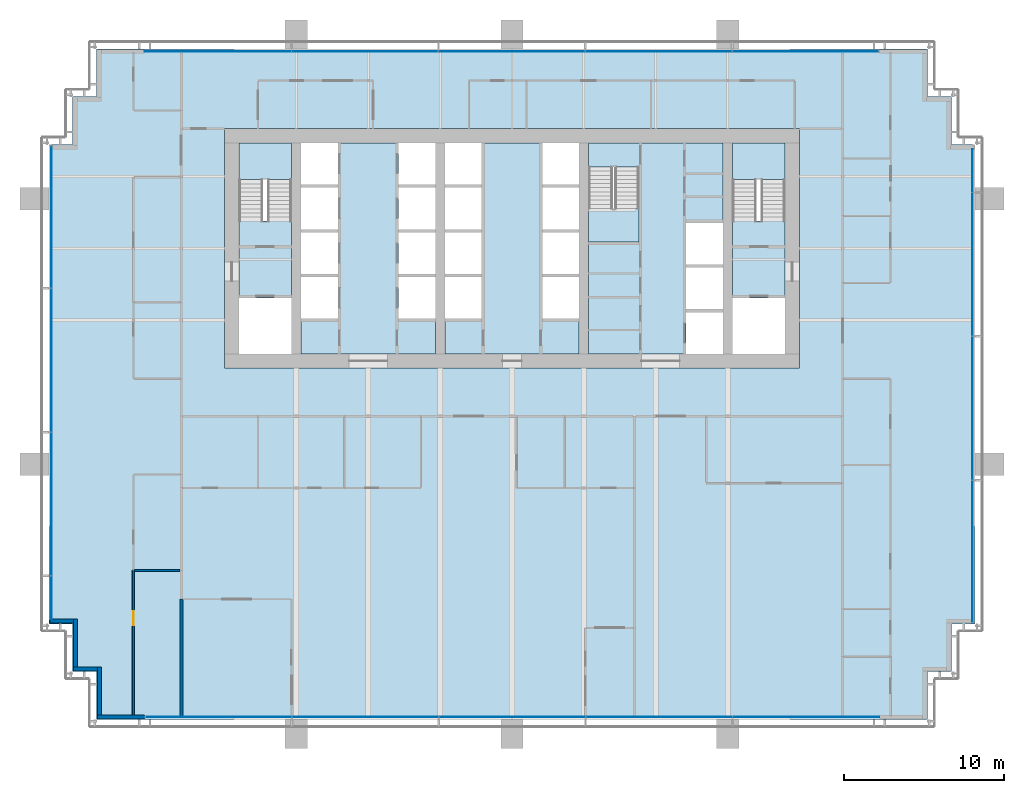
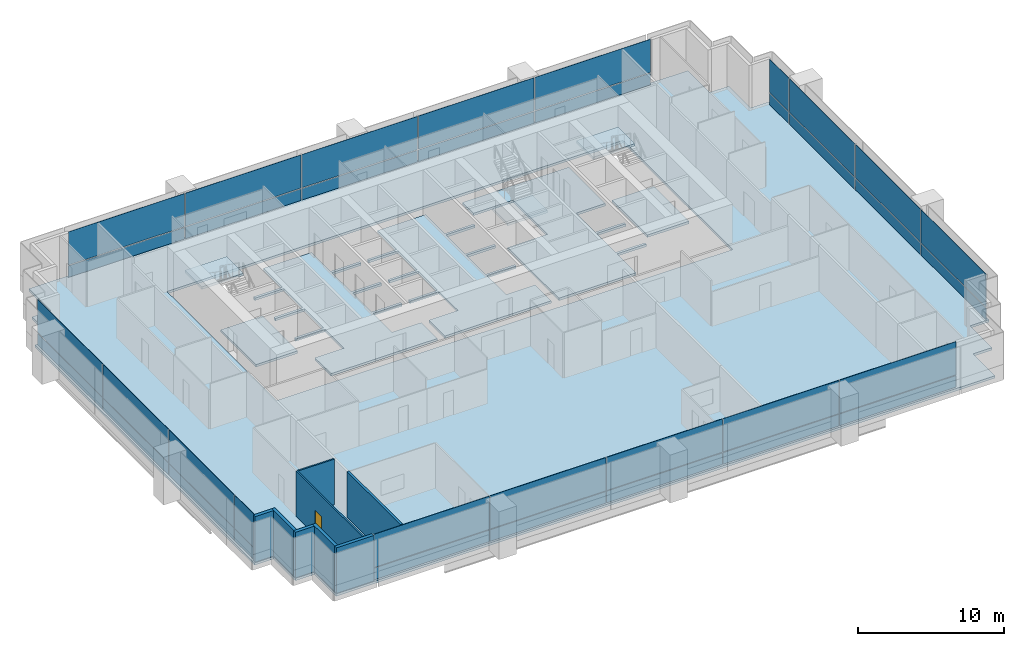
# One storey, part 9 of 18: 36 plates, 9 slabs, 8 walls, 1 door, 1 opening, 7 elements without a shape of their own.
"""IFC4 building model written with IfcOpenShell, lengths in metres."""

from ifc_helpers import new_model, si_unit, direction, frame, frame_2d, origin, origin_2d, place, context, subcontext, project, spatial, polyline, rectangle, outline, extrude, material, layer, layer_set, type_object, element, fill, aggregate, save


model = new_model("IFC4")

# Units and contexts
model_context = context("Model", 3, precision=1e-05, world=origin(), true_north=direction((0.0, 1.0)))
body_context = subcontext(model_context, "Body", "Model", "MODEL_VIEW")
ifc_project = project(units=[si_unit("LENGTHUNIT", "METRE"), si_unit("AREAUNIT", "SQUARE_METRE"), si_unit("VOLUMEUNIT", "CUBIC_METRE"), si_unit("PLANEANGLEUNIT", "RADIAN"), si_unit("MASSUNIT", "GRAM", prefix="KILO")], contexts=[model_context])

# Site, building, storey
site_placement = place(None, origin())
site = spatial("IfcSite", under=ifc_project, at=site_placement, CompositionType="ELEMENT")
building_placement = place(site_placement, origin())
building = spatial("IfcBuilding", under=site, at=building_placement, Name="Rattan Terrace Tower", CompositionType="ELEMENT")
storey_placement = place(building_placement, frame((0.0, 0.0, 134.10009765625)))
storey = spatial("IfcBuildingStorey", under=building, at=storey_placement, Name="L30", CompositionType="ELEMENT", Elevation=134.10009765625)

# Stair, slab
ifc_material_1 = material(Name="Concrete C40/50", Category="concrete")
stair_type = type_object("IfcStairType", Name="Core exit stair 1500", PredefinedType="HALF_TURN_STAIR", material=ifc_material_1)
stair_1_placement = place(storey_placement, origin())
stair_1 = element("IfcStair", 1, at=stair_1_placement, inside=storey, type_object=stair_type, Name="L30 exit stair 1", PredefinedType="HALF_TURN_STAIR")
ifc_material_2 = material(Name="Concrete C40/50", Category="concrete")
ifc_layer_1 = layer(ifc_material_2, 0.199951171875)
ifc_layer_set_1 = layer_set([ifc_layer_1], Name="Core exit stair landing")
slab_type_1 = type_object("IfcSlabType", Name="Core exit stair landing", PredefinedType="LANDING", material=ifc_layer_set_1)
slab_1_placement = place(storey_placement, frame((0.0, 0.0, 1.7998046875)))
slab_1 = element("IfcSlab", 2, at=slab_1_placement, type_object=slab_type_1, Name="S1 landing 1", PredefinedType="LANDING", context=body_context, shape_type="SweptSolid", body=[
    extrude(outline(polyline([(-13.800048828125, 4.300048828125), (-13.800048828125, 6.60009765625), (-17.10009765625, 6.60009765625), (-17.10009765625, 4.300048828125), (-13.800048828125, 4.300048828125)])), origin(), (0.0, 0.0, 1.0), 0.2001953125),
])
aggregate(stair_1, [slab_1])

stair_2_placement = place(storey_placement, origin())
stair_2 = element("IfcStair", 3, at=stair_2_placement, inside=storey, type_object=stair_type, Name="L30 exit stair 2", PredefinedType="HALF_TURN_STAIR")
slab_2_placement = place(storey_placement, frame((0.0, 0.0, 1.7998046875)))
slab_2 = element("IfcSlab", 4, at=slab_2_placement, type_object=slab_type_1, Name="S2 landing 1", PredefinedType="LANDING", context=body_context, shape_type="SweptSolid", body=[
    extrude(outline(polyline([(17.10009765625, 4.300048828125), (17.10009765625, 6.60009765625), (13.800048828125, 6.60009765625), (13.800048828125, 4.300048828125), (17.10009765625, 4.300048828125)])), origin(), (0.0, 0.0, 1.0), 0.2001953125),
])
aggregate(stair_2, [slab_2])

stair_3_placement = place(storey_placement, origin())
stair_3 = element("IfcStair", 5, at=stair_3_placement, inside=storey, type_object=stair_type, Name="L30 exit stair 3", PredefinedType="HALF_TURN_STAIR")
slab_3_placement = place(storey_placement, frame((0.0, 0.0, 1.7998046875)))
slab_3 = element("IfcSlab", 6, at=slab_3_placement, type_object=slab_type_1, Name="S3 landing 1", PredefinedType="LANDING", context=body_context, shape_type="SweptSolid", body=[
    extrude(outline(polyline([(4.800048828125, 2.5), (4.800048828125, 0.39990234375), (7.949951171875, 0.39990234375), (7.949951171875, 2.5), (4.800048828125, 2.5)])), origin(), (0.0, 0.0, 1.0), 0.2001953125),
])
aggregate(stair_3, [slab_3])

# Curtain wall, plates
ifc_material_3 = material(Name="Aluminium and glass", Category="aluminium")
curtain_wall_type = type_object("IfcCurtainWallType", Name="Facade Unitised Curtain Wall", PredefinedType="NOTDEFINED", material=ifc_material_3)
curtain_wall_1_placement = place(storey_placement, origin())
curtain_wall_1 = element("IfcCurtainWall", 7, at=curtain_wall_1_placement, inside=storey, type_object=curtain_wall_type, Name="Curtain wall L30-1", PredefinedType="NOTDEFINED")
ifc_material_4 = material(Name="Aluminium insulated spandrel panel", Category="aluminium")
ifc_layer_2 = layer(ifc_material_4, 0.028076171875)
ifc_layer_set_2 = layer_set([ifc_layer_2], Name="Facade CW Spandrel Panel")
plate_type_1 = type_object("IfcPlateType", Name="Facade CW Spandrel Panel", PredefinedType="CURTAIN_PANEL", material=ifc_layer_set_2)
plate_1_placement = place(storey_placement, frame((28.830078125, -18.96240234375, 0.0), z_axis=(0.0, 0.0, 1.0), x_axis=(0.0, 1.0, 0.0)))
plate_1 = element("IfcPlate", 8, at=plate_1_placement, type_object=plate_type_1, Name="Panel cwl-L30-001.1.1", PredefinedType="CURTAIN_PANEL", context=body_context, shape_type="SweptSolid", body=[
    extrude(rectangle(XDim=8.864990234375, YDim=0.028076171875, at=origin_2d()), origin(), (0.0, 0.0, 1.0), 0.969970703125),
])
plate_2_placement = place(storey_placement, frame((28.830078125, -10.0, 0.0), z_axis=(0.0, 0.0, 1.0), x_axis=(0.0, 1.0, 0.0)))
plate_2 = element("IfcPlate", 9, at=plate_2_placement, type_object=plate_type_1, Name="Panel cwl-L30-001.2.1", PredefinedType="CURTAIN_PANEL", context=body_context, shape_type="SweptSolid", body=[
    extrude(rectangle(XDim=8.93994140625, YDim=0.028076171875, at=origin_2d()), origin(), (0.0, 0.0, 1.0), 0.969970703125),
])
plate_3_placement = place(storey_placement, frame((28.830078125, -1.0, 0.0), z_axis=(0.0, 0.0, 1.0), x_axis=(0.0, 1.0, 0.0)))
plate_3 = element("IfcPlate", 10, at=plate_3_placement, type_object=plate_type_1, Name="Panel cwl-L30-001.3.1", PredefinedType="CURTAIN_PANEL", context=body_context, shape_type="SweptSolid", body=[
    extrude(rectangle(XDim=8.93994140625, YDim=0.028076171875, at=origin_2d()), origin(), (0.0, 0.0, 1.0), 0.969970703125),
])
plate_4_placement = place(storey_placement, frame((28.830078125, 4.867431640625, 0.0), z_axis=(0.0, 0.0, 1.0), x_axis=(0.0, 1.0, 0.0)))
plate_4 = element("IfcPlate", 11, at=plate_4_placement, type_object=plate_type_1, Name="Panel cwl-L30-001.4.1", PredefinedType="CURTAIN_PANEL", context=body_context, shape_type="SweptSolid", body=[
    extrude(rectangle(XDim=2.675048828125, YDim=0.028076171875, at=origin_2d()), origin(), (0.0, 0.0, 1.0), 0.969970703125),
])

curtain_wall_2_placement = place(storey_placement, origin())
curtain_wall_2 = element("IfcCurtainWall", 12, at=curtain_wall_2_placement, inside=storey, type_object=curtain_wall_type, Name="Curtain wall L30-2", PredefinedType="NOTDEFINED")
plate_5_placement = place(storey_placement, frame((18.384521484375, 12.330078125, 0.0), z_axis=(0.0, 0.0, 1.0), x_axis=(-1.0, 0.0, 0.0)))
plate_5 = element("IfcPlate", 13, at=plate_5_placement, type_object=plate_type_1, Name="Panel cwl-L30-002.1.1", PredefinedType="CURTAIN_PANEL", context=body_context, shape_type="SweptSolid", body=[
    extrude(rectangle(XDim=9.111083984375, YDim=0.028076171875, at=origin_2d()), origin(), (0.0, 0.0, 1.0), 0.969970703125),
])
plate_6_placement = place(storey_placement, frame((9.198486328125, 12.330078125, 0.0), z_axis=(0.0, 0.0, 1.0), x_axis=(-1.0, 0.0, 0.0)))
plate_6 = element("IfcPlate", 14, at=plate_6_placement, type_object=plate_type_1, Name="Panel cwl-L30-002.2.1", PredefinedType="CURTAIN_PANEL", context=body_context, shape_type="SweptSolid", body=[
    extrude(rectangle(XDim=9.14111328125, YDim=0.028076171875, at=origin_2d()), origin(), (0.0, 0.0, 1.0), 0.969970703125),
])
plate_7_placement = place(storey_placement, frame((-0.00244140625, 12.330078125, 0.0), z_axis=(0.0, 0.0, 1.0), x_axis=(-1.0, 0.0, 0.0)))
plate_7 = element("IfcPlate", 15, at=plate_7_placement, type_object=plate_type_1, Name="Panel cwl-L30-002.3.1", PredefinedType="CURTAIN_PANEL", context=body_context, shape_type="SweptSolid", body=[
    extrude(rectangle(XDim=9.14111328125, YDim=0.028076171875, at=origin_2d()), origin(), (0.0, 0.0, 1.0), 0.969970703125),
])
plate_8_placement = place(storey_placement, frame((-9.20361328125, 12.330078125, 0.0), z_axis=(0.0, 0.0, 1.0), x_axis=(-1.0, 0.0, 0.0)))
plate_8 = element("IfcPlate", 16, at=plate_8_placement, type_object=plate_type_1, Name="Panel cwl-L30-002.4.1", PredefinedType="CURTAIN_PANEL", context=body_context, shape_type="SweptSolid", body=[
    extrude(rectangle(XDim=9.14111328125, YDim=0.028076171875, at=origin_2d()), origin(), (0.0, 0.0, 1.0), 0.969970703125),
])
plate_9_placement = place(storey_placement, frame((-18.4169921875, 12.330078125, 0.0), z_axis=(0.0, 0.0, 1.0), x_axis=(-1.0, 0.0, 0.0)))
plate_9 = element("IfcPlate", 17, at=plate_9_placement, type_object=plate_type_1, Name="Panel cwl-L30-002.5.1", PredefinedType="CURTAIN_PANEL", context=body_context, shape_type="SweptSolid", body=[
    extrude(rectangle(XDim=9.166015625, YDim=0.028076171875, at=origin_2d()), origin(), (0.0, 0.0, 1.0), 0.969970703125),
])

curtain_wall_3_placement = place(storey_placement, origin())
curtain_wall_3 = element("IfcCurtainWall", 18, at=curtain_wall_3_placement, inside=storey, type_object=curtain_wall_type, Name="Curtain wall L30-3", PredefinedType="NOTDEFINED")
plate_10_placement = place(storey_placement, frame((-28.830078125, 1.96240234375, 0.0), z_axis=(0.0, 0.0, 1.0), x_axis=(0.0, -1.0, 0.0)))
plate_10 = element("IfcPlate", 19, at=plate_10_placement, type_object=plate_type_1, Name="Panel cwl-L30-003.1.1", PredefinedType="CURTAIN_PANEL", context=body_context, shape_type="SweptSolid", body=[
    extrude(rectangle(XDim=8.864990234375, YDim=0.028076171875, at=origin_2d()), origin(), (0.0, 0.0, 1.0), 0.969970703125),
])
plate_11_placement = place(storey_placement, frame((-28.830078125, -7.0, 0.0), z_axis=(0.0, 0.0, 1.0), x_axis=(0.0, -1.0, 0.0)))
plate_11 = element("IfcPlate", 20, at=plate_11_placement, type_object=plate_type_1, Name="Panel cwl-L30-003.2.1", PredefinedType="CURTAIN_PANEL", context=body_context, shape_type="SweptSolid", body=[
    extrude(rectangle(XDim=8.93994140625, YDim=0.028076171875, at=origin_2d()), origin(), (0.0, 0.0, 1.0), 0.969970703125),
])
plate_12_placement = place(storey_placement, frame((-28.830078125, -16.0, 0.0), z_axis=(0.0, 0.0, 1.0), x_axis=(0.0, -1.0, 0.0)))
plate_12 = element("IfcPlate", 21, at=plate_12_placement, type_object=plate_type_1, Name="Panel cwl-L30-003.3.1", PredefinedType="CURTAIN_PANEL", context=body_context, shape_type="SweptSolid", body=[
    extrude(rectangle(XDim=8.93994140625, YDim=0.028076171875, at=origin_2d()), origin(), (0.0, 0.0, 1.0), 0.969970703125),
])
plate_13_placement = place(storey_placement, frame((-28.830078125, -21.867431640625, 0.0), z_axis=(0.0, 0.0, 1.0), x_axis=(0.0, -1.0, 0.0)))
plate_13 = element("IfcPlate", 22, at=plate_13_placement, type_object=plate_type_1, Name="Panel cwl-L30-003.4.1", PredefinedType="CURTAIN_PANEL", context=body_context, shape_type="SweptSolid", body=[
    extrude(rectangle(XDim=2.675048828125, YDim=0.028076171875, at=origin_2d()), origin(), (0.0, 0.0, 1.0), 0.969970703125),
])

curtain_wall_4_placement = place(storey_placement, origin())
curtain_wall_4 = element("IfcCurtainWall", 23, at=curtain_wall_4_placement, inside=storey, type_object=curtain_wall_type, Name="Curtain wall L30-4", PredefinedType="NOTDEFINED")
plate_14_placement = place(storey_placement, frame((-18.384521484375, -29.330078125, 0.0), z_axis=(0.0, 0.0, 1.0), x_axis=(1.0, 0.0, 0.0)))
plate_14 = element("IfcPlate", 24, at=plate_14_placement, type_object=plate_type_1, Name="Panel cwl-L30-004.1.1", PredefinedType="CURTAIN_PANEL", context=body_context, shape_type="SweptSolid", body=[
    extrude(rectangle(XDim=9.111083984375, YDim=0.028076171875, at=origin_2d()), origin(), (0.0, 0.0, 1.0), 0.969970703125),
])
plate_15_placement = place(storey_placement, frame((-9.198486328125, -29.330078125, 0.0), z_axis=(0.0, 0.0, 1.0), x_axis=(1.0, 0.0, 0.0)))
plate_15 = element("IfcPlate", 25, at=plate_15_placement, type_object=plate_type_1, Name="Panel cwl-L30-004.2.1", PredefinedType="CURTAIN_PANEL", context=body_context, shape_type="SweptSolid", body=[
    extrude(rectangle(XDim=9.14111328125, YDim=0.028076171875, at=origin_2d()), origin(), (0.0, 0.0, 1.0), 0.969970703125),
])
plate_16_placement = place(storey_placement, frame((0.00244140625, -29.330078125, 0.0), z_axis=(0.0, 0.0, 1.0), x_axis=(1.0, 0.0, 0.0)))
plate_16 = element("IfcPlate", 26, at=plate_16_placement, type_object=plate_type_1, Name="Panel cwl-L30-004.3.1", PredefinedType="CURTAIN_PANEL", context=body_context, shape_type="SweptSolid", body=[
    extrude(rectangle(XDim=9.14111328125, YDim=0.028076171875, at=origin_2d()), origin(), (0.0, 0.0, 1.0), 0.969970703125),
])
plate_17_placement = place(storey_placement, frame((9.20361328125, -29.330078125, 0.0), z_axis=(0.0, 0.0, 1.0), x_axis=(1.0, 0.0, 0.0)))
plate_17 = element("IfcPlate", 27, at=plate_17_placement, type_object=plate_type_1, Name="Panel cwl-L30-004.4.1", PredefinedType="CURTAIN_PANEL", context=body_context, shape_type="SweptSolid", body=[
    extrude(rectangle(XDim=9.14111328125, YDim=0.028076171875, at=origin_2d()), origin(), (0.0, 0.0, 1.0), 0.969970703125),
])
plate_18_placement = place(storey_placement, frame((18.4169921875, -29.330078125, 0.0), z_axis=(0.0, 0.0, 1.0), x_axis=(1.0, 0.0, 0.0)))
plate_18 = element("IfcPlate", 28, at=plate_18_placement, type_object=plate_type_1, Name="Panel cwl-L30-004.5.1", PredefinedType="CURTAIN_PANEL", context=body_context, shape_type="SweptSolid", body=[
    extrude(rectangle(XDim=9.166015625, YDim=0.028076171875, at=origin_2d()), origin(), (0.0, 0.0, 1.0), 0.969970703125),
])

# Plate
ifc_material_5 = material(Name="Clear low-iron glass", Category="glass")
ifc_layer_3 = layer(ifc_material_5, 0.028076171875)
ifc_layer_set_3 = layer_set([ifc_layer_3], Name="Facade CW Vision Panel")
plate_type_2 = type_object("IfcPlateType", Name="Facade CW Vision Panel", PredefinedType="CURTAIN_PANEL", material=ifc_layer_set_3)
plate_19_placement = place(storey_placement, frame((28.830078125, -18.96240234375, 1.02978515625), z_axis=(0.0, 0.0, 1.0), x_axis=(0.0, 1.0, 0.0)))
plate_19 = element("IfcPlate", 29, at=plate_19_placement, type_object=plate_type_2, Name="Panel cwl-L30-001.1.2", PredefinedType="CURTAIN_PANEL", context=body_context, shape_type="SweptSolid", body=[
    extrude(rectangle(XDim=8.864990234375, YDim=0.028076171875, at=origin_2d()), origin(), (0.0, 0.0, 1.0), 2.77001953125),
])

plate_20_placement = place(storey_placement, frame((28.830078125, -10.0, 1.02978515625), z_axis=(0.0, 0.0, 1.0), x_axis=(0.0, 1.0, 0.0)))
plate_20 = element("IfcPlate", 30, at=plate_20_placement, type_object=plate_type_2, Name="Panel cwl-L30-001.2.2", PredefinedType="CURTAIN_PANEL", context=body_context, shape_type="SweptSolid", body=[
    extrude(rectangle(XDim=8.93994140625, YDim=0.028076171875, at=origin_2d()), origin(), (0.0, 0.0, 1.0), 2.77001953125),
])

plate_21_placement = place(storey_placement, frame((28.830078125, -1.0, 1.02978515625), z_axis=(0.0, 0.0, 1.0), x_axis=(0.0, 1.0, 0.0)))
plate_21 = element("IfcPlate", 31, at=plate_21_placement, type_object=plate_type_2, Name="Panel cwl-L30-001.3.2", PredefinedType="CURTAIN_PANEL", context=body_context, shape_type="SweptSolid", body=[
    extrude(rectangle(XDim=8.93994140625, YDim=0.028076171875, at=origin_2d()), origin(), (0.0, 0.0, 1.0), 2.77001953125),
])

plate_22_placement = place(storey_placement, frame((28.830078125, 4.867431640625, 1.02978515625), z_axis=(0.0, 0.0, 1.0), x_axis=(0.0, 1.0, 0.0)))
plate_22 = element("IfcPlate", 32, at=plate_22_placement, type_object=plate_type_2, Name="Panel cwl-L30-001.4.2", PredefinedType="CURTAIN_PANEL", context=body_context, shape_type="SweptSolid", body=[
    extrude(rectangle(XDim=2.675048828125, YDim=0.028076171875, at=origin_2d()), origin(), (0.0, 0.0, 1.0), 2.77001953125),
])

aggregate(curtain_wall_1, [plate_1, plate_19, plate_2, plate_20, plate_3, plate_21, plate_4, plate_22])

plate_23_placement = place(storey_placement, frame((18.384521484375, 12.330078125, 1.02978515625), z_axis=(0.0, 0.0, 1.0), x_axis=(-1.0, 0.0, 0.0)))
plate_23 = element("IfcPlate", 33, at=plate_23_placement, type_object=plate_type_2, Name="Panel cwl-L30-002.1.2", PredefinedType="CURTAIN_PANEL", context=body_context, shape_type="SweptSolid", body=[
    extrude(rectangle(XDim=9.111083984375, YDim=0.028076171875, at=origin_2d()), origin(), (0.0, 0.0, 1.0), 2.77001953125),
])

plate_24_placement = place(storey_placement, frame((9.198486328125, 12.330078125, 1.02978515625), z_axis=(0.0, 0.0, 1.0), x_axis=(-1.0, 0.0, 0.0)))
plate_24 = element("IfcPlate", 34, at=plate_24_placement, type_object=plate_type_2, Name="Panel cwl-L30-002.2.2", PredefinedType="CURTAIN_PANEL", context=body_context, shape_type="SweptSolid", body=[
    extrude(rectangle(XDim=9.14111328125, YDim=0.028076171875, at=origin_2d()), origin(), (0.0, 0.0, 1.0), 2.77001953125),
])

plate_25_placement = place(storey_placement, frame((-0.00244140625, 12.330078125, 1.02978515625), z_axis=(0.0, 0.0, 1.0), x_axis=(-1.0, 0.0, 0.0)))
plate_25 = element("IfcPlate", 35, at=plate_25_placement, type_object=plate_type_2, Name="Panel cwl-L30-002.3.2", PredefinedType="CURTAIN_PANEL", context=body_context, shape_type="SweptSolid", body=[
    extrude(rectangle(XDim=9.14111328125, YDim=0.028076171875, at=origin_2d()), origin(), (0.0, 0.0, 1.0), 2.77001953125),
])

plate_26_placement = place(storey_placement, frame((-9.20361328125, 12.330078125, 1.02978515625), z_axis=(0.0, 0.0, 1.0), x_axis=(-1.0, 0.0, 0.0)))
plate_26 = element("IfcPlate", 36, at=plate_26_placement, type_object=plate_type_2, Name="Panel cwl-L30-002.4.2", PredefinedType="CURTAIN_PANEL", context=body_context, shape_type="SweptSolid", body=[
    extrude(rectangle(XDim=9.14111328125, YDim=0.028076171875, at=origin_2d()), origin(), (0.0, 0.0, 1.0), 2.77001953125),
])

plate_27_placement = place(storey_placement, frame((-18.4169921875, 12.330078125, 1.02978515625), z_axis=(0.0, 0.0, 1.0), x_axis=(-1.0, 0.0, 0.0)))
plate_27 = element("IfcPlate", 37, at=plate_27_placement, type_object=plate_type_2, Name="Panel cwl-L30-002.5.2", PredefinedType="CURTAIN_PANEL", context=body_context, shape_type="SweptSolid", body=[
    extrude(rectangle(XDim=9.166015625, YDim=0.028076171875, at=origin_2d()), origin(), (0.0, 0.0, 1.0), 2.77001953125),
])

aggregate(curtain_wall_2, [plate_5, plate_23, plate_6, plate_24, plate_7, plate_25, plate_8, plate_26, plate_9, plate_27])

plate_28_placement = place(storey_placement, frame((-28.830078125, 1.96240234375, 1.02978515625), z_axis=(0.0, 0.0, 1.0), x_axis=(0.0, -1.0, 0.0)))
plate_28 = element("IfcPlate", 38, at=plate_28_placement, type_object=plate_type_2, Name="Panel cwl-L30-003.1.2", PredefinedType="CURTAIN_PANEL", context=body_context, shape_type="SweptSolid", body=[
    extrude(rectangle(XDim=8.864990234375, YDim=0.028076171875, at=origin_2d()), origin(), (0.0, 0.0, 1.0), 2.77001953125),
])

plate_29_placement = place(storey_placement, frame((-28.830078125, -7.0, 1.02978515625), z_axis=(0.0, 0.0, 1.0), x_axis=(0.0, -1.0, 0.0)))
plate_29 = element("IfcPlate", 39, at=plate_29_placement, type_object=plate_type_2, Name="Panel cwl-L30-003.2.2", PredefinedType="CURTAIN_PANEL", context=body_context, shape_type="SweptSolid", body=[
    extrude(rectangle(XDim=8.93994140625, YDim=0.028076171875, at=origin_2d()), origin(), (0.0, 0.0, 1.0), 2.77001953125),
])

plate_30_placement = place(storey_placement, frame((-28.830078125, -16.0, 1.02978515625), z_axis=(0.0, 0.0, 1.0), x_axis=(0.0, -1.0, 0.0)))
plate_30 = element("IfcPlate", 40, at=plate_30_placement, type_object=plate_type_2, Name="Panel cwl-L30-003.3.2", PredefinedType="CURTAIN_PANEL", context=body_context, shape_type="SweptSolid", body=[
    extrude(rectangle(XDim=8.93994140625, YDim=0.028076171875, at=origin_2d()), origin(), (0.0, 0.0, 1.0), 2.77001953125),
])

plate_31_placement = place(storey_placement, frame((-28.830078125, -21.867431640625, 1.02978515625), z_axis=(0.0, 0.0, 1.0), x_axis=(0.0, -1.0, 0.0)))
plate_31 = element("IfcPlate", 41, at=plate_31_placement, type_object=plate_type_2, Name="Panel cwl-L30-003.4.2", PredefinedType="CURTAIN_PANEL", context=body_context, shape_type="SweptSolid", body=[
    extrude(rectangle(XDim=2.675048828125, YDim=0.028076171875, at=origin_2d()), origin(), (0.0, 0.0, 1.0), 2.77001953125),
])

aggregate(curtain_wall_3, [plate_10, plate_28, plate_11, plate_29, plate_12, plate_30, plate_13, plate_31])

plate_32_placement = place(storey_placement, frame((-18.384521484375, -29.330078125, 1.02978515625), z_axis=(0.0, 0.0, 1.0), x_axis=(1.0, 0.0, 0.0)))
plate_32 = element("IfcPlate", 42, at=plate_32_placement, type_object=plate_type_2, Name="Panel cwl-L30-004.1.2", PredefinedType="CURTAIN_PANEL", context=body_context, shape_type="SweptSolid", body=[
    extrude(rectangle(XDim=9.111083984375, YDim=0.028076171875, at=origin_2d()), origin(), (0.0, 0.0, 1.0), 2.77001953125),
])

plate_33_placement = place(storey_placement, frame((-9.198486328125, -29.330078125, 1.02978515625), z_axis=(0.0, 0.0, 1.0), x_axis=(1.0, 0.0, 0.0)))
plate_33 = element("IfcPlate", 43, at=plate_33_placement, type_object=plate_type_2, Name="Panel cwl-L30-004.2.2", PredefinedType="CURTAIN_PANEL", context=body_context, shape_type="SweptSolid", body=[
    extrude(rectangle(XDim=9.14111328125, YDim=0.028076171875, at=origin_2d()), origin(), (0.0, 0.0, 1.0), 2.77001953125),
])

plate_34_placement = place(storey_placement, frame((0.00244140625, -29.330078125, 1.02978515625), z_axis=(0.0, 0.0, 1.0), x_axis=(1.0, 0.0, 0.0)))
plate_34 = element("IfcPlate", 44, at=plate_34_placement, type_object=plate_type_2, Name="Panel cwl-L30-004.3.2", PredefinedType="CURTAIN_PANEL", context=body_context, shape_type="SweptSolid", body=[
    extrude(rectangle(XDim=9.14111328125, YDim=0.028076171875, at=origin_2d()), origin(), (0.0, 0.0, 1.0), 2.77001953125),
])

plate_35_placement = place(storey_placement, frame((9.20361328125, -29.330078125, 1.02978515625), z_axis=(0.0, 0.0, 1.0), x_axis=(1.0, 0.0, 0.0)))
plate_35 = element("IfcPlate", 45, at=plate_35_placement, type_object=plate_type_2, Name="Panel cwl-L30-004.4.2", PredefinedType="CURTAIN_PANEL", context=body_context, shape_type="SweptSolid", body=[
    extrude(rectangle(XDim=9.14111328125, YDim=0.028076171875, at=origin_2d()), origin(), (0.0, 0.0, 1.0), 2.77001953125),
])

plate_36_placement = place(storey_placement, frame((18.4169921875, -29.330078125, 1.02978515625), z_axis=(0.0, 0.0, 1.0), x_axis=(1.0, 0.0, 0.0)))
plate_36 = element("IfcPlate", 46, at=plate_36_placement, type_object=plate_type_2, Name="Panel cwl-L30-004.5.2", PredefinedType="CURTAIN_PANEL", context=body_context, shape_type="SweptSolid", body=[
    extrude(rectangle(XDim=9.166015625, YDim=0.028076171875, at=origin_2d()), origin(), (0.0, 0.0, 1.0), 2.77001953125),
])

aggregate(curtain_wall_4, [plate_14, plate_32, plate_15, plate_33, plate_16, plate_34, plate_17, plate_35, plate_18, plate_36])

# Slabs
ifc_material_6 = material(Name="Concrete C35/45", Category="concrete")
ifc_layer_4 = layer(ifc_material_6, 0.199951171875)
ifc_layer_set_4 = layer_set([ifc_layer_4], Name="Frame composite floor slab 200")
slab_type_2 = type_object("IfcSlabType", Name="Frame composite floor slab 200", PredefinedType="FLOOR", material=ifc_layer_set_4)
slab_4_placement = place(storey_placement, frame((0.0, 0.0, -0.2001953125)))
element("IfcSlab", 47, at=slab_4_placement, inside=storey, type_object=slab_type_2, Name="Floor slab", PredefinedType="FLOOR", context=body_context, shape_type="SweptSolid", body=[
    extrude(outline(polyline([(-23.0, -29.5), (23.0, -29.5), (26.0, -29.5), (26.0, -26.5), (27.5, -26.5), (27.5, -23.5), (29.0, -23.5), (29.0, 6.5), (27.5, 6.5), (27.5, 9.5), (26.0, 9.5), (26.0, 12.5), (23.0, 12.5), (-23.0, 12.5), (-26.0, 12.5), (-26.0, 9.5), (-27.5, 9.5), (-27.5, 6.5), (-29.0, 6.5), (-29.0, -23.5), (-27.5, -23.5), (-27.5, -26.5), (-26.0, -26.5), (-26.0, -29.5), (-23.0, -29.5)]), holes=[polyline([(-18.0, -6.60009765625), (-18.0, -7.5), (18.0, -7.5), (18.0, -6.60009765625), (18.0, 6.60009765625), (18.0, 7.5), (-18.0, 7.5), (-18.0, 6.60009765625), (-18.0, -6.60009765625)])]), origin(), (0.0, 0.0, 1.0), 0.2001953125),
])
slab_5_placement = place(storey_placement, frame((0.0, 0.0, -0.2001953125)))
element("IfcSlab", 48, at=slab_5_placement, inside=storey, type_object=slab_type_2, Name="Floor slab", PredefinedType="FLOOR", context=body_context, shape_type="SweptSolid", body=[
    extrude(outline(polyline([(-10.89990234375, 6.60009765625), (-10.89990234375, 4.0), (-13.199951171875, 4.0), (-13.199951171875, 3.800048828125), (-10.89990234375, 3.800048828125), (-10.89990234375, 1.199951171875), (-13.199951171875, 1.199951171875), (-13.199951171875, 1.0), (-10.89990234375, 1.0), (-10.89990234375, -1.60009765625), (-13.199951171875, -1.60009765625), (-13.199951171875, -1.800048828125), (-10.89990234375, -1.800048828125), (-10.89990234375, -4.39990234375), (-13.199951171875, -4.39990234375), (-13.199951171875, -6.60009765625), (-4.800048828125, -6.60009765625), (-4.800048828125, -4.39990234375), (-7.10009765625, -4.39990234375), (-7.10009765625, -1.800048828125), (-4.800048828125, -1.800048828125), (-4.800048828125, -1.60009765625), (-7.10009765625, -1.60009765625), (-7.10009765625, 1.0), (-4.800048828125, 1.0), (-4.800048828125, 1.199951171875), (-7.10009765625, 1.199951171875), (-7.10009765625, 3.800048828125), (-4.800048828125, 3.800048828125), (-4.800048828125, 4.0), (-7.10009765625, 4.0), (-7.10009765625, 6.60009765625), (-10.89990234375, 6.60009765625)])), origin(), (0.0, 0.0, 1.0), 0.2001953125),
])
slab_6_placement = place(storey_placement, frame((0.0, 0.0, -0.2001953125)))
element("IfcSlab", 49, at=slab_6_placement, inside=storey, type_object=slab_type_2, Name="Floor slab", PredefinedType="FLOOR", context=body_context, shape_type="SweptSolid", body=[
    extrude(outline(polyline([(-17.10009765625, -3.10009765625), (-13.800048828125, -3.10009765625), (-13.800048828125, 1.7099609375), (-17.10009765625, 1.7099609375), (-17.10009765625, -3.10009765625)])), origin(), (0.0, 0.0, 1.0), 0.2001953125),
])
slab_7_placement = place(storey_placement, frame((0.0, 0.0, -0.2001953125)))
element("IfcSlab", 50, at=slab_7_placement, inside=storey, type_object=slab_type_2, Name="Floor slab", PredefinedType="FLOOR", context=body_context, shape_type="SweptSolid", body=[
    extrude(outline(polyline([(-4.199951171875, 4.0), (-4.199951171875, 3.800048828125), (-1.89990234375, 3.800048828125), (-1.89990234375, 1.199951171875), (-4.199951171875, 1.199951171875), (-4.199951171875, 1.0), (-1.89990234375, 1.0), (-1.89990234375, -1.60009765625), (-4.199951171875, -1.60009765625), (-4.199951171875, -1.800048828125), (-1.89990234375, -1.800048828125), (-1.89990234375, -4.39990234375), (-4.199951171875, -4.39990234375), (-4.199951171875, -6.60009765625), (4.199951171875, -6.60009765625), (4.199951171875, -4.39990234375), (1.89990234375, -4.39990234375), (1.89990234375, -1.800048828125), (4.199951171875, -1.800048828125), (4.199951171875, -1.60009765625), (1.89990234375, -1.60009765625), (1.89990234375, 1.0), (4.199951171875, 1.0), (4.199951171875, 1.199951171875), (1.89990234375, 1.199951171875), (1.89990234375, 3.800048828125), (4.199951171875, 3.800048828125), (4.199951171875, 4.0), (1.89990234375, 4.0), (1.89990234375, 6.60009765625), (-1.89990234375, 6.60009765625), (-1.89990234375, 4.0), (-4.199951171875, 4.0)])), origin(), (0.0, 0.0, 1.0), 0.2001953125),
])
slab_8_placement = place(storey_placement, frame((0.0, 0.0, -0.2001953125)))
element("IfcSlab", 51, at=slab_8_placement, inside=storey, type_object=slab_type_2, Name="Floor slab", PredefinedType="FLOOR", context=body_context, shape_type="SweptSolid", body=[
    extrude(outline(polyline([(4.800048828125, 5.090087890625), (7.949951171875, 5.090087890625), (7.949951171875, 0.39990234375), (4.800048828125, 0.39990234375), (4.800048828125, -6.60009765625), (10.89990234375, -6.60009765625), (10.89990234375, -4.0), (13.199951171875, -4.0), (13.199951171875, -3.800048828125), (10.89990234375, -3.800048828125), (10.89990234375, -1.199951171875), (13.199951171875, -1.199951171875), (13.199951171875, -1.0), (10.89990234375, -1.0), (10.89990234375, 1.60009765625), (13.199951171875, 1.60009765625), (13.199951171875, 6.60009765625), (4.800048828125, 6.60009765625), (4.800048828125, 5.090087890625)])), origin(), (0.0, 0.0, 1.0), 0.2001953125),
])
slab_9_placement = place(storey_placement, frame((0.0, 0.0, -0.2001953125)))
element("IfcSlab", 52, at=slab_9_placement, inside=storey, type_object=slab_type_2, Name="Floor slab", PredefinedType="FLOOR", context=body_context, shape_type="SweptSolid", body=[
    extrude(outline(polyline([(13.800048828125, -3.10009765625), (17.10009765625, -3.10009765625), (17.10009765625, 1.7099609375), (13.800048828125, 1.7099609375), (13.800048828125, -3.10009765625)])), origin(), (0.0, 0.0, 1.0), 0.2001953125),
])

# Walls
ifc_material_7 = material(Name="Insulated aluminium-clad stud wall", Category="aluminium")
ifc_layer_5 = layer(ifc_material_7, 0.25)
ifc_layer_set_5 = layer_set([ifc_layer_5], Name="Facade Riser Wall 250")
wall_type_1 = type_object("IfcWallType", Name="Facade Riser Wall 250", PredefinedType="SOLIDWALL", material=ifc_layer_set_5)
wall_1_placement = place(storey_placement, frame((-28.909912109375, -23.330078125, 0.0), z_axis=(0.0, 0.0, 1.0), x_axis=(1.0, 0.0, 0.0)))
element("IfcWall", 53, at=wall_1_placement, inside=storey, type_object=wall_type_1, Name="Riser wall L30-16", PredefinedType="SOLIDWALL", context=body_context, shape_type="SweptSolid", body=[
    extrude(rectangle(XDim=1.454833984375, YDim=0.25, at=frame_2d((0.7275390625, 0.0))), origin(), (0.0, 0.0, 1.0), 3.7998046875),
])
wall_2_placement = place(storey_placement, frame((-27.330078125, -23.205078125, 0.0), z_axis=(0.0, 0.0, 1.0), x_axis=(0.0, -1.0, 0.0)))
element("IfcWall", 54, at=wall_2_placement, inside=storey, type_object=wall_type_1, Name="Riser wall L30-17", PredefinedType="SOLIDWALL", context=body_context, shape_type="SweptSolid", body=[
    extrude(rectangle(XDim=3.0, YDim=0.25, at=frame_2d((1.5, 0.0))), origin(), (0.0, 0.0, 1.0), 3.7998046875),
])
wall_3_placement = place(storey_placement, frame((-27.455078125, -26.330078125, 0.0), z_axis=(0.0, 0.0, 1.0), x_axis=(1.0, 0.0, 0.0)))
element("IfcWall", 55, at=wall_3_placement, inside=storey, type_object=wall_type_1, Name="Riser wall L30-18", PredefinedType="SOLIDWALL", context=body_context, shape_type="SweptSolid", body=[
    extrude(rectangle(XDim=1.5, YDim=0.25, at=frame_2d((0.75, 0.0))), origin(), (0.0, 0.0, 1.0), 3.7998046875),
])
wall_4_placement = place(storey_placement, frame((-25.830078125, -26.205078125, 0.0), z_axis=(0.0, 0.0, 1.0), x_axis=(0.0, -1.0, 0.0)))
element("IfcWall", 56, at=wall_4_placement, inside=storey, type_object=wall_type_1, Name="Riser wall L30-19", PredefinedType="SOLIDWALL", context=body_context, shape_type="SweptSolid", body=[
    extrude(rectangle(XDim=3.0, YDim=0.25, at=frame_2d((1.5, 0.0))), origin(), (0.0, 0.0, 1.0), 3.7998046875),
])
wall_5_placement = place(storey_placement, frame((-25.955078125, -29.330078125, 0.0), z_axis=(0.0, 0.0, 1.0), x_axis=(1.0, 0.0, 0.0)))
element("IfcWall", 57, at=wall_5_placement, inside=storey, type_object=wall_type_1, Name="Riser wall L30-20", PredefinedType="SOLIDWALL", context=body_context, shape_type="SweptSolid", body=[
    extrude(rectangle(XDim=2.955078125, YDim=0.25, at=frame_2d((1.4775390625, 0.0))), origin(), (0.0, 0.0, 1.0), 3.7998046875),
])
ifc_material_8 = material(Name="Double steel stud acoustic partition, gypsum board, mineral wool, fire rated", Category="steel")
ifc_layer_6 = layer(ifc_material_8, 0.179931640625)
ifc_layer_set_6 = layer_set([ifc_layer_6], Name="Floors Acoustic Party Wall 180")
wall_type_2 = type_object("IfcWallType", Name="Floors Acoustic Party Wall 180", PredefinedType="PARTITIONING", material=ifc_layer_set_6)
wall_6_placement = place(storey_placement, frame((-20.699951171875, -21.93994140625, 0.0), z_axis=(0.0, 0.0, 1.0), x_axis=(0.0, -1.0, 0.0)))
element("IfcWall", 58, at=wall_6_placement, inside=storey, type_object=wall_type_2, Name="pt-L30-033", PredefinedType="PARTITIONING", context=body_context, shape_type="SweptSolid", body=[
    extrude(rectangle(XDim=7.300048828125, YDim=0.179931640625, at=frame_2d((3.64990234375, 0.0))), origin(), (0.0, 0.0, 1.0), 3.7998046875),
])

# Wall, opening, door
ifc_material_9 = material(Name="Moisture resistant gypsum board partition on steel studs with service cavity", Category="steel")
ifc_layer_7 = layer(ifc_material_9, 0.1201171875)
ifc_layer_set_7 = layer_set([ifc_layer_7], Name="Floors Wet Wall 120")
wall_type_3 = type_object("IfcWallType", Name="Floors Wet Wall 120", PredefinedType="PARTITIONING", material=ifc_layer_set_7)
wall_7_placement = place(storey_placement, frame((-23.699951171875, -20.139892578125, 0.0), z_axis=(0.0, 0.0, 1.0), x_axis=(0.0, -1.0, 0.0)))
wall_7 = element("IfcWall", 59, at=wall_7_placement, inside=storey, type_object=wall_type_3, Name="pt-L30-020", PredefinedType="PARTITIONING", context=body_context, shape_type="SweptSolid", body=[
    extrude(rectangle(XDim=9.10009765625, YDim=0.1201171875, at=frame_2d((4.550048828125, 0.0))), origin(), (0.0, 0.0, 1.0), 3.7998046875),
])
opening_placement = place(wall_7_placement, frame((2.56005859375, 0.0, 0.0)))
opening = element("IfcOpeningElement", 60, at=opening_placement, cuts=wall_7, Name="Opening L30-D101", PredefinedType="OPENING", context=body_context, shape_type="SweptSolid", body=[
    extrude(rectangle(XDim=0.89990234375, YDim=2.10009765625, at=frame_2d((0.449951171875, 1.050048828125))), frame((0.0, 0.070556640625, 0.0), z_axis=(0.0, -1.0, 0.0), x_axis=(1.0, 0.0, 0.0)), (0.0, 0.0, 1.0), 0.14111328125),
])
ifc_material_10 = material(Name="Solid core timber door, painted", Category="wood")
door_type = type_object("IfcDoorType", Name="Floors Door 900x2100", OperationType="NOTDEFINED", PredefinedType="DOOR", material=ifc_material_10)
door_placement = place(opening_placement, origin())
door = element("IfcDoor", 61, at=door_placement, inside=storey, type_object=door_type, Name="d-L30-101", OperationType="SINGLE_SWING_LEFT", OverallHeight=2.10009765625, OverallWidth=0.89990234375, PredefinedType="DOOR", context=body_context, shape_type="SweptSolid", body=[
    extrude(rectangle(XDim=0.89990234375, YDim=2.10009765625, at=frame_2d((0.449951171875, 1.050048828125))), frame((0.0, 0.02490234375, 0.0), z_axis=(0.0, -1.0, 0.0), x_axis=(1.0, 0.0, 0.0)), (0.0, 0.0, 1.0), 0.050048828125),
])
fill(opening, door)

# Wall
wall_8_placement = place(storey_placement, frame((-23.639892578125, -20.159912109375, 0.0), z_axis=(0.0, 0.0, 1.0), x_axis=(1.0, 0.0, 0.0)))
element("IfcWall", 62, at=wall_8_placement, inside=storey, type_object=wall_type_3, Name="pt-L30-031", PredefinedType="PARTITIONING", context=body_context, shape_type="SweptSolid", body=[
    extrude(rectangle(XDim=2.849853515625, YDim=0.1201171875, at=frame_2d((1.4248046875, 0.0))), origin(), (0.0, 0.0, 1.0), 3.7998046875),
])

save(model, "model.ifc")
